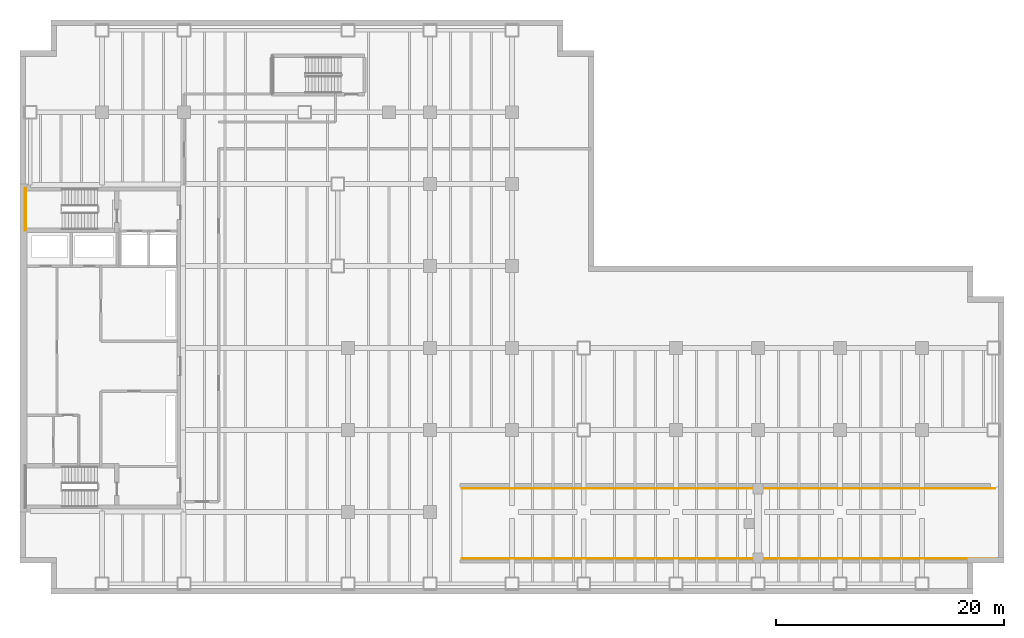
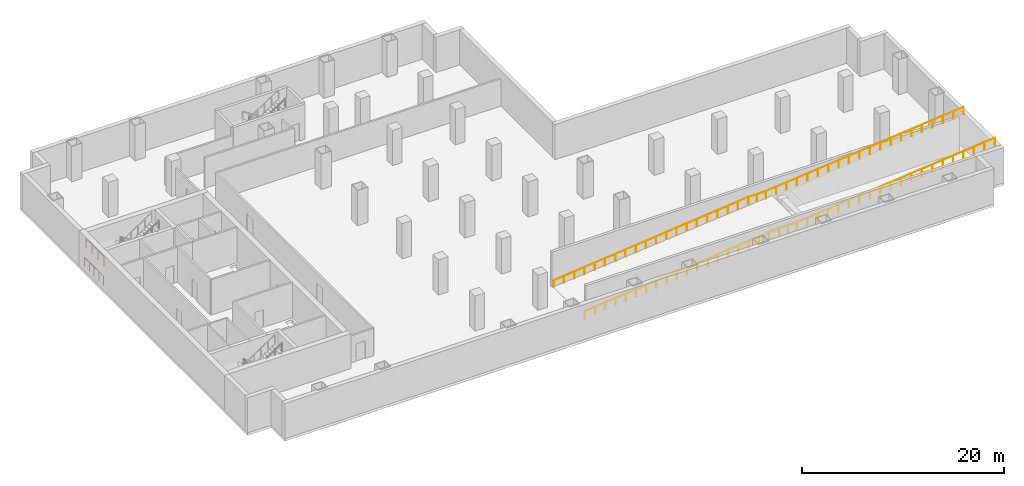
# One storey, part 10 of 11: 4 railings.
"""IFC4 building model written with IfcOpenShell, lengths in metres."""

from ifc_helpers import new_model, si_unit, direction, frame, origin, origin_2d, place, context, subcontext, project, spatial, circle, extrude, material, type_object, element, save


model = new_model("IFC4")

# Units and contexts
model_context = context("Model", 3, precision=1e-05, world=origin(), true_north=direction((0.0, 1.0)))
body_context = subcontext(model_context, "Body", "Model", "MODEL_VIEW")
ifc_project = project(units=[si_unit("LENGTHUNIT", "METRE"), si_unit("AREAUNIT", "SQUARE_METRE"), si_unit("VOLUMEUNIT", "CUBIC_METRE"), si_unit("PLANEANGLEUNIT", "RADIAN"), si_unit("MASSUNIT", "GRAM", prefix="KILO")], contexts=[model_context])

# Site, building, storey
site_placement = place(None, origin())
site = spatial("IfcSite", under=ifc_project, at=site_placement, CompositionType="ELEMENT")
building_placement = place(site_placement, origin())
building = spatial("IfcBuilding", under=site, at=building_placement, Name="Cobrela Telecom Tower", CompositionType="ELEMENT")
storey_placement = place(building_placement, frame((0.0, 0.0, -4.550048828125)))
storey = spatial("IfcBuildingStorey", under=building, at=storey_placement, Name="B1", CompositionType="ELEMENT", Elevation=-4.550048828125)

# Railings
ifc_material = material(Name="Steel ASTM A36", Category="steel")
railing_type_1 = type_object("IfcRailingType", Name="RAIL-GUARD-1100", PredefinedType="GUARDRAIL", material=ifc_material)
railing_1_placement = place(storey_placement, frame((0.530029296875, 35.550048828125, 2.275146484375)))
element("IfcRailing", 1, at=railing_1_placement, inside=storey, type_object=railing_type_1, Name="B1 ST1 stair guard 3", PredefinedType="GUARDRAIL", context=body_context, shape_type="SweptSolid", body=[
    extrude(circle(Radius=0.02392578125, at=origin_2d()), frame((0.0, 0.0, 1.076171875), z_axis=(0.0, -1.0, 0.0), x_axis=(1.0, 0.0, 0.0)), (0.0, 0.0, 1.0), 3.550048828125),
    extrude(circle(Radius=0.02099609375, at=origin_2d()), origin(), (0.0, 0.0, 1.0), 1.052001953125),
    extrude(circle(Radius=0.02099609375, at=origin_2d()), frame((0.0, -1.183349609375, 0.0)), (0.0, 0.0, 1.0), 1.052001953125),
    extrude(circle(Radius=0.02099609375, at=origin_2d()), frame((0.0, -2.36669921875, 0.0)), (0.0, 0.0, 1.0), 1.052001953125),
    extrude(circle(Radius=0.02099609375, at=origin_2d()), frame((0.0, -3.550048828125, 0.0)), (0.0, 0.0, 1.0), 1.052001953125),
])
railing_2_placement = place(storey_placement, frame((0.429931640625, 35.64990234375, 0.0)))
element("IfcRailing", 2, at=railing_2_placement, inside=storey, type_object=railing_type_1, Name="B1 ST1 stair guard 6", PredefinedType="GUARDRAIL", context=body_context, shape_type="SweptSolid", body=[
    extrude(circle(Radius=0.02392578125, at=origin_2d()), frame((0.0, 0.0, 1.076171875), z_axis=(0.0, -1.0, 0.0), x_axis=(1.0, 0.0, 0.0)), (0.0, 0.0, 1.0), 3.75),
    extrude(circle(Radius=0.02099609375, at=origin_2d()), origin(), (0.0, 0.0, 1.0), 1.052001953125),
    extrude(circle(Radius=0.02099609375, at=origin_2d()), frame((0.0, -0.9375, 0.0)), (0.0, 0.0, 1.0), 1.052001953125),
    extrude(circle(Radius=0.02099609375, at=origin_2d()), frame((0.0, -1.875, 0.0)), (0.0, 0.0, 1.0), 1.052001953125),
    extrude(circle(Radius=0.02099609375, at=origin_2d()), frame((0.0, -2.8125, 0.0)), (0.0, 0.0, 1.0), 1.052001953125),
    extrude(circle(Radius=0.02099609375, at=origin_2d()), frame((0.0, -3.75, 0.0)), (0.0, 0.0, 1.0), 1.052001953125),
])
railing_type_2 = type_object("IfcRailingType", Name="RAIL-HAND-920", PredefinedType="HANDRAIL", material=ifc_material)
railing_3_placement = place(storey_placement, frame((38.800048828125, 3.1201171875, 0.0)))
element("IfcRailing", 3, at=railing_3_placement, inside=storey, type_object=railing_type_2, Name="B1 Vehicle Ramp South Side Guard Handrail", PredefinedType="HANDRAIL", context=body_context, shape_type="SweptSolid", body=[
    extrude(circle(Radius=0.02392578125, at=origin_2d()), frame((0.0, 0.0, 0.8759765625), z_axis=(0.994789492851, 0.0, 0.101950306099), x_axis=(0.0, 1.0, 0.0)), (0.0, 0.0, 1.0), 22.316162109375),
    extrude(circle(Radius=0.02392578125, at=origin_2d()), frame((22.199951171875, 0.0, 3.15087890625), z_axis=(1.0, 0.0, 0.0), x_axis=(0.0, 1.0, 0.0)), (0.0, 0.0, 1.0), 2.0),
    extrude(circle(Radius=0.02392578125, at=origin_2d()), frame((24.199951171875, 0.0, 3.15087890625), z_axis=(0.994972062856, 0.0, 0.100152853859), x_axis=(0.0, 1.0, 0.0)), (0.0, 0.0, 1.0), 22.71435546875),
    extrude(circle(Radius=0.02099609375, at=origin_2d()), origin(), (0.0, 0.0, 1.0), 0.851806640625),
    extrude(circle(Radius=0.02099609375, at=origin_2d()), frame((1.16845703125, 0.0, 0.11962890625)), (0.0, 0.0, 1.0), 0.851806640625),
    extrude(circle(Radius=0.02099609375, at=origin_2d()), frame((2.3369140625, 0.0, 0.239501953125)), (0.0, 0.0, 1.0), 0.851806640625),
    extrude(circle(Radius=0.02099609375, at=origin_2d()), frame((3.50537109375, 0.0, 0.359130859375)), (0.0, 0.0, 1.0), 0.851806640625),
    extrude(circle(Radius=0.02099609375, at=origin_2d()), frame((4.673583984375, 0.0, 0.47900390625)), (0.0, 0.0, 1.0), 0.851806640625),
    extrude(circle(Radius=0.02099609375, at=origin_2d()), frame((5.842041015625, 0.0, 0.5986328125)), (0.0, 0.0, 1.0), 0.851806640625),
    extrude(circle(Radius=0.02099609375, at=origin_2d()), frame((7.010498046875, 0.0, 0.718505859375)), (0.0, 0.0, 1.0), 0.851806640625),
    extrude(circle(Radius=0.02099609375, at=origin_2d()), frame((8.178955078125, 0.0, 0.838134765625)), (0.0, 0.0, 1.0), 0.851806640625),
    extrude(circle(Radius=0.02099609375, at=origin_2d()), frame((9.347412109375, 0.0, 0.9580078125)), (0.0, 0.0, 1.0), 0.851806640625),
    extrude(circle(Radius=0.02099609375, at=origin_2d()), frame((10.515869140625, 0.0, 1.07763671875)), (0.0, 0.0, 1.0), 0.851806640625),
    extrude(circle(Radius=0.02099609375, at=origin_2d()), frame((11.68408203125, 0.0, 1.197509765625)), (0.0, 0.0, 1.0), 0.851806640625),
    extrude(circle(Radius=0.02099609375, at=origin_2d()), frame((12.8525390625, 0.0, 1.317138671875)), (0.0, 0.0, 1.0), 0.851806640625),
    extrude(circle(Radius=0.02099609375, at=origin_2d()), frame((14.02099609375, 0.0, 1.43701171875)), (0.0, 0.0, 1.0), 0.851806640625),
    extrude(circle(Radius=0.02099609375, at=origin_2d()), frame((15.189453125, 0.0, 1.556640625)), (0.0, 0.0, 1.0), 0.851806640625),
    extrude(circle(Radius=0.02099609375, at=origin_2d()), frame((16.35791015625, 0.0, 1.676513671875)), (0.0, 0.0, 1.0), 0.851806640625),
    extrude(circle(Radius=0.02099609375, at=origin_2d()), frame((17.5263671875, 0.0, 1.796142578125)), (0.0, 0.0, 1.0), 0.851806640625),
    extrude(circle(Radius=0.02099609375, at=origin_2d()), frame((18.694580078125, 0.0, 1.916015625)), (0.0, 0.0, 1.0), 0.851806640625),
    extrude(circle(Radius=0.02099609375, at=origin_2d()), frame((19.863037109375, 0.0, 2.03564453125)), (0.0, 0.0, 1.0), 0.851806640625),
    extrude(circle(Radius=0.02099609375, at=origin_2d()), frame((21.031494140625, 0.0, 2.155517578125)), (0.0, 0.0, 1.0), 0.851806640625),
    extrude(circle(Radius=0.02099609375, at=origin_2d()), frame((22.199951171875, 0.0, 2.275146484375)), (0.0, 0.0, 1.0), 0.851806640625),
    extrude(circle(Radius=0.02099609375, at=origin_2d()), frame((23.199951171875, 0.0, 2.275146484375)), (0.0, 0.0, 1.0), 0.851806640625),
    extrude(circle(Radius=0.02099609375, at=origin_2d()), frame((24.199951171875, 0.0, 2.275146484375)), (0.0, 0.0, 1.0), 0.851806640625),
    extrude(circle(Radius=0.02099609375, at=origin_2d()), frame((25.389404296875, 0.0, 2.394775390625)), (0.0, 0.0, 1.0), 0.851806640625),
    extrude(circle(Radius=0.02099609375, at=origin_2d()), frame((26.578857421875, 0.0, 2.5146484375)), (0.0, 0.0, 1.0), 0.851806640625),
    extrude(circle(Radius=0.02099609375, at=origin_2d()), frame((27.768310546875, 0.0, 2.63427734375)), (0.0, 0.0, 1.0), 0.851806640625),
    extrude(circle(Radius=0.02099609375, at=origin_2d()), frame((28.957763671875, 0.0, 2.754150390625)), (0.0, 0.0, 1.0), 0.851806640625),
    extrude(circle(Radius=0.02099609375, at=origin_2d()), frame((30.1474609375, 0.0, 2.873779296875)), (0.0, 0.0, 1.0), 0.851806640625),
    extrude(circle(Radius=0.02099609375, at=origin_2d()), frame((31.3369140625, 0.0, 2.99365234375)), (0.0, 0.0, 1.0), 0.851806640625),
    extrude(circle(Radius=0.02099609375, at=origin_2d()), frame((32.5263671875, 0.0, 3.11328125)), (0.0, 0.0, 1.0), 0.851806640625),
    extrude(circle(Radius=0.02099609375, at=origin_2d()), frame((33.7158203125, 0.0, 3.23291015625)), (0.0, 0.0, 1.0), 0.851806640625),
    extrude(circle(Radius=0.02099609375, at=origin_2d()), frame((34.9052734375, 0.0, 3.352783203125)), (0.0, 0.0, 1.0), 0.851806640625),
    extrude(circle(Radius=0.02099609375, at=origin_2d()), frame((36.0947265625, 0.0, 3.472412109375)), (0.0, 0.0, 1.0), 0.851806640625),
    extrude(circle(Radius=0.02099609375, at=origin_2d()), frame((37.2841796875, 0.0, 3.59228515625)), (0.0, 0.0, 1.0), 0.851806640625),
    extrude(circle(Radius=0.02099609375, at=origin_2d()), frame((38.4736328125, 0.0, 3.7119140625)), (0.0, 0.0, 1.0), 0.851806640625),
    extrude(circle(Radius=0.02099609375, at=origin_2d()), frame((39.6630859375, 0.0, 3.83154296875)), (0.0, 0.0, 1.0), 0.851806640625),
    extrude(circle(Radius=0.02099609375, at=origin_2d()), frame((40.8525390625, 0.0, 3.951416015625)), (0.0, 0.0, 1.0), 0.851806640625),
    extrude(circle(Radius=0.02099609375, at=origin_2d()), frame((42.042236328125, 0.0, 4.071044921875)), (0.0, 0.0, 1.0), 0.851806640625),
    extrude(circle(Radius=0.02099609375, at=origin_2d()), frame((43.231689453125, 0.0, 4.19091796875)), (0.0, 0.0, 1.0), 0.851806640625),
    extrude(circle(Radius=0.02099609375, at=origin_2d()), frame((44.421142578125, 0.0, 4.310546875)), (0.0, 0.0, 1.0), 0.851806640625),
    extrude(circle(Radius=0.02099609375, at=origin_2d()), frame((45.610595703125, 0.0, 4.430419921875)), (0.0, 0.0, 1.0), 0.851806640625),
    extrude(circle(Radius=0.02099609375, at=origin_2d()), frame((46.800048828125, 0.0, 4.550048828125)), (0.0, 0.0, 1.0), 0.851806640625),
])
railing_4_placement = place(storey_placement, frame((38.800048828125, 9.280029296875, 0.0)))
element("IfcRailing", 4, at=railing_4_placement, inside=storey, type_object=railing_type_2, Name="B1 Vehicle Ramp North Side Guard Handrail", PredefinedType="HANDRAIL", context=body_context, shape_type="SweptSolid", body=[
    extrude(circle(Radius=0.02392578125, at=origin_2d()), frame((0.0, 0.0, 0.8759765625), z_axis=(0.994789492851, 0.0, 0.101950306099), x_axis=(0.0, 1.0, 0.0)), (0.0, 0.0, 1.0), 22.316162109375),
    extrude(circle(Radius=0.02392578125, at=origin_2d()), frame((22.199951171875, 0.0, 3.15087890625), z_axis=(1.0, 0.0, 0.0), x_axis=(0.0, 1.0, 0.0)), (0.0, 0.0, 1.0), 2.0),
    extrude(circle(Radius=0.02392578125, at=origin_2d()), frame((24.199951171875, 0.0, 3.15087890625), z_axis=(0.994972062856, 0.0, 0.100152853859), x_axis=(0.0, 1.0, 0.0)), (0.0, 0.0, 1.0), 22.71435546875),
    extrude(circle(Radius=0.02099609375, at=origin_2d()), origin(), (0.0, 0.0, 1.0), 0.851806640625),
    extrude(circle(Radius=0.02099609375, at=origin_2d()), frame((1.16845703125, 0.0, 0.11962890625)), (0.0, 0.0, 1.0), 0.851806640625),
    extrude(circle(Radius=0.02099609375, at=origin_2d()), frame((2.3369140625, 0.0, 0.239501953125)), (0.0, 0.0, 1.0), 0.851806640625),
    extrude(circle(Radius=0.02099609375, at=origin_2d()), frame((3.50537109375, 0.0, 0.359130859375)), (0.0, 0.0, 1.0), 0.851806640625),
    extrude(circle(Radius=0.02099609375, at=origin_2d()), frame((4.673583984375, 0.0, 0.47900390625)), (0.0, 0.0, 1.0), 0.851806640625),
    extrude(circle(Radius=0.02099609375, at=origin_2d()), frame((5.842041015625, 0.0, 0.5986328125)), (0.0, 0.0, 1.0), 0.851806640625),
    extrude(circle(Radius=0.02099609375, at=origin_2d()), frame((7.010498046875, 0.0, 0.718505859375)), (0.0, 0.0, 1.0), 0.851806640625),
    extrude(circle(Radius=0.02099609375, at=origin_2d()), frame((8.178955078125, 0.0, 0.838134765625)), (0.0, 0.0, 1.0), 0.851806640625),
    extrude(circle(Radius=0.02099609375, at=origin_2d()), frame((9.347412109375, 0.0, 0.9580078125)), (0.0, 0.0, 1.0), 0.851806640625),
    extrude(circle(Radius=0.02099609375, at=origin_2d()), frame((10.515869140625, 0.0, 1.07763671875)), (0.0, 0.0, 1.0), 0.851806640625),
    extrude(circle(Radius=0.02099609375, at=origin_2d()), frame((11.68408203125, 0.0, 1.197509765625)), (0.0, 0.0, 1.0), 0.851806640625),
    extrude(circle(Radius=0.02099609375, at=origin_2d()), frame((12.8525390625, 0.0, 1.317138671875)), (0.0, 0.0, 1.0), 0.851806640625),
    extrude(circle(Radius=0.02099609375, at=origin_2d()), frame((14.02099609375, 0.0, 1.43701171875)), (0.0, 0.0, 1.0), 0.851806640625),
    extrude(circle(Radius=0.02099609375, at=origin_2d()), frame((15.189453125, 0.0, 1.556640625)), (0.0, 0.0, 1.0), 0.851806640625),
    extrude(circle(Radius=0.02099609375, at=origin_2d()), frame((16.35791015625, 0.0, 1.676513671875)), (0.0, 0.0, 1.0), 0.851806640625),
    extrude(circle(Radius=0.02099609375, at=origin_2d()), frame((17.5263671875, 0.0, 1.796142578125)), (0.0, 0.0, 1.0), 0.851806640625),
    extrude(circle(Radius=0.02099609375, at=origin_2d()), frame((18.694580078125, 0.0, 1.916015625)), (0.0, 0.0, 1.0), 0.851806640625),
    extrude(circle(Radius=0.02099609375, at=origin_2d()), frame((19.863037109375, 0.0, 2.03564453125)), (0.0, 0.0, 1.0), 0.851806640625),
    extrude(circle(Radius=0.02099609375, at=origin_2d()), frame((21.031494140625, 0.0, 2.155517578125)), (0.0, 0.0, 1.0), 0.851806640625),
    extrude(circle(Radius=0.02099609375, at=origin_2d()), frame((22.199951171875, 0.0, 2.275146484375)), (0.0, 0.0, 1.0), 0.851806640625),
    extrude(circle(Radius=0.02099609375, at=origin_2d()), frame((23.199951171875, 0.0, 2.275146484375)), (0.0, 0.0, 1.0), 0.851806640625),
    extrude(circle(Radius=0.02099609375, at=origin_2d()), frame((24.199951171875, 0.0, 2.275146484375)), (0.0, 0.0, 1.0), 0.851806640625),
    extrude(circle(Radius=0.02099609375, at=origin_2d()), frame((25.389404296875, 0.0, 2.394775390625)), (0.0, 0.0, 1.0), 0.851806640625),
    extrude(circle(Radius=0.02099609375, at=origin_2d()), frame((26.578857421875, 0.0, 2.5146484375)), (0.0, 0.0, 1.0), 0.851806640625),
    extrude(circle(Radius=0.02099609375, at=origin_2d()), frame((27.768310546875, 0.0, 2.63427734375)), (0.0, 0.0, 1.0), 0.851806640625),
    extrude(circle(Radius=0.02099609375, at=origin_2d()), frame((28.957763671875, 0.0, 2.754150390625)), (0.0, 0.0, 1.0), 0.851806640625),
    extrude(circle(Radius=0.02099609375, at=origin_2d()), frame((30.1474609375, 0.0, 2.873779296875)), (0.0, 0.0, 1.0), 0.851806640625),
    extrude(circle(Radius=0.02099609375, at=origin_2d()), frame((31.3369140625, 0.0, 2.99365234375)), (0.0, 0.0, 1.0), 0.851806640625),
    extrude(circle(Radius=0.02099609375, at=origin_2d()), frame((32.5263671875, 0.0, 3.11328125)), (0.0, 0.0, 1.0), 0.851806640625),
    extrude(circle(Radius=0.02099609375, at=origin_2d()), frame((33.7158203125, 0.0, 3.23291015625)), (0.0, 0.0, 1.0), 0.851806640625),
    extrude(circle(Radius=0.02099609375, at=origin_2d()), frame((34.9052734375, 0.0, 3.352783203125)), (0.0, 0.0, 1.0), 0.851806640625),
    extrude(circle(Radius=0.02099609375, at=origin_2d()), frame((36.0947265625, 0.0, 3.472412109375)), (0.0, 0.0, 1.0), 0.851806640625),
    extrude(circle(Radius=0.02099609375, at=origin_2d()), frame((37.2841796875, 0.0, 3.59228515625)), (0.0, 0.0, 1.0), 0.851806640625),
    extrude(circle(Radius=0.02099609375, at=origin_2d()), frame((38.4736328125, 0.0, 3.7119140625)), (0.0, 0.0, 1.0), 0.851806640625),
    extrude(circle(Radius=0.02099609375, at=origin_2d()), frame((39.6630859375, 0.0, 3.83154296875)), (0.0, 0.0, 1.0), 0.851806640625),
    extrude(circle(Radius=0.02099609375, at=origin_2d()), frame((40.8525390625, 0.0, 3.951416015625)), (0.0, 0.0, 1.0), 0.851806640625),
    extrude(circle(Radius=0.02099609375, at=origin_2d()), frame((42.042236328125, 0.0, 4.071044921875)), (0.0, 0.0, 1.0), 0.851806640625),
    extrude(circle(Radius=0.02099609375, at=origin_2d()), frame((43.231689453125, 0.0, 4.19091796875)), (0.0, 0.0, 1.0), 0.851806640625),
    extrude(circle(Radius=0.02099609375, at=origin_2d()), frame((44.421142578125, 0.0, 4.310546875)), (0.0, 0.0, 1.0), 0.851806640625),
    extrude(circle(Radius=0.02099609375, at=origin_2d()), frame((45.610595703125, 0.0, 4.430419921875)), (0.0, 0.0, 1.0), 0.851806640625),
    extrude(circle(Radius=0.02099609375, at=origin_2d()), frame((46.800048828125, 0.0, 4.550048828125)), (0.0, 0.0, 1.0), 0.851806640625),
])

save(model, "model.ifc")
